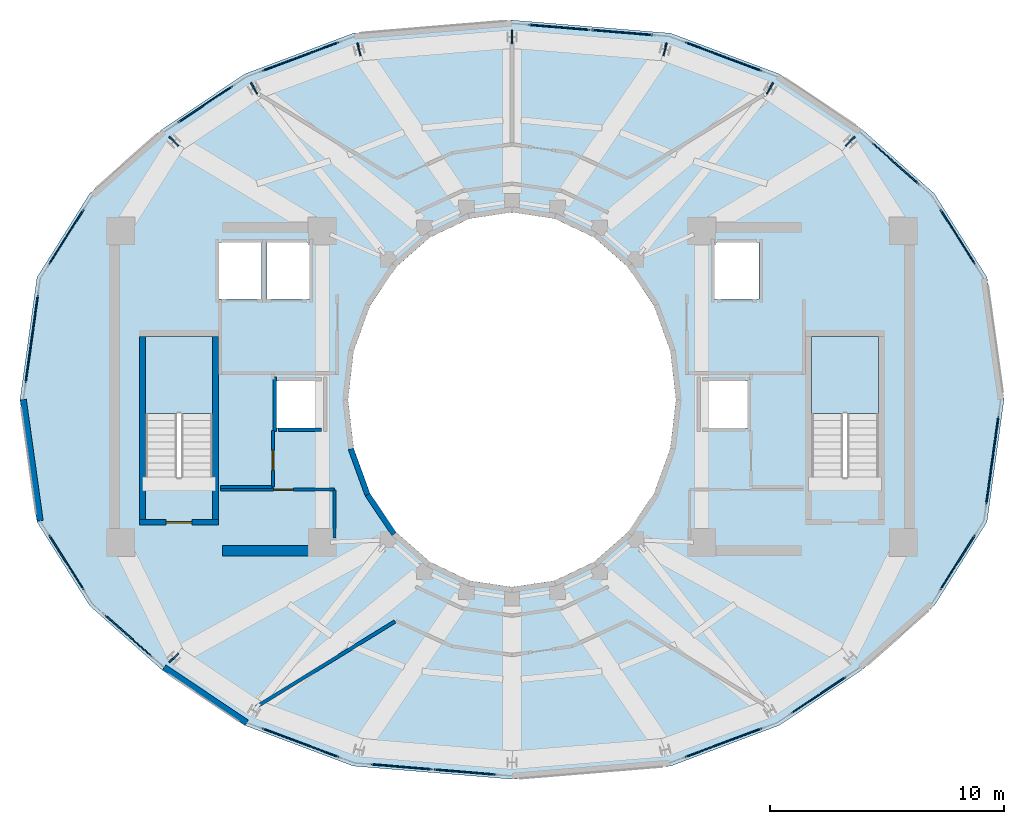
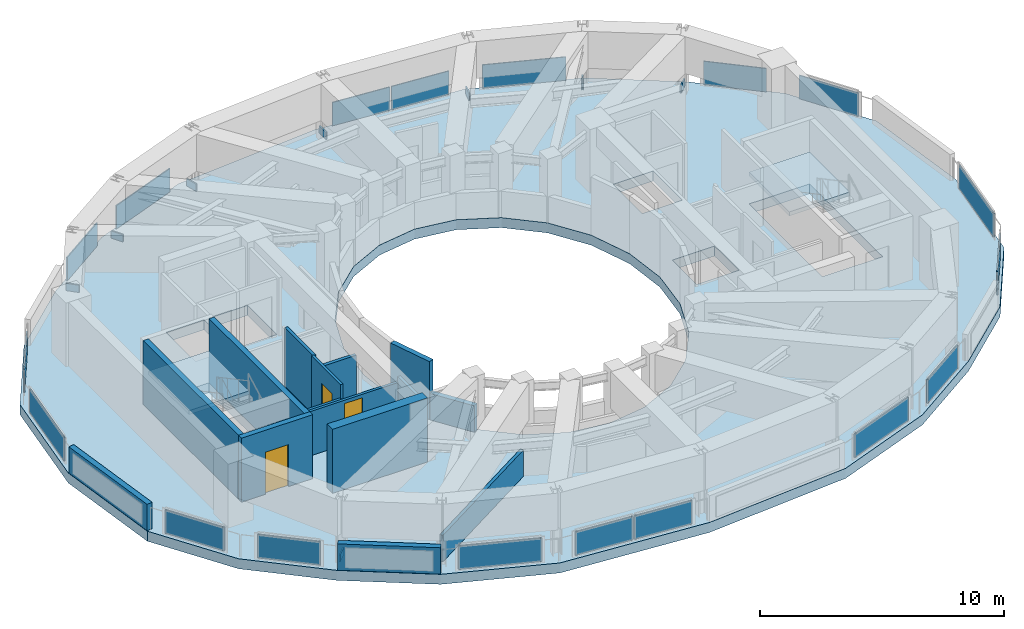
# One storey, part 15 of 21: 26 plates, 15 walls, 3 doors, 3 slabs, 3 openings, 18 elements without a shape of their own.
"""IFC4 building model written with IfcOpenShell, lengths in metres."""

from ifc_helpers import new_model, si_unit, direction, frame, frame_2d, origin, origin_2d, place, context, subcontext, project, spatial, polyline, rectangle, outline, extrude, material, layer, layer_set, type_object, element, fill, aggregate, save


model = new_model("IFC4")

# Units and contexts
model_context = context("Model", 3, precision=1e-05, world=origin(), true_north=direction((0.0, 1.0)))
body_context = subcontext(model_context, "Body", "Model", "MODEL_VIEW")
ifc_project = project(units=[si_unit("LENGTHUNIT", "METRE"), si_unit("AREAUNIT", "SQUARE_METRE"), si_unit("VOLUMEUNIT", "CUBIC_METRE"), si_unit("PLANEANGLEUNIT", "RADIAN"), si_unit("MASSUNIT", "GRAM", prefix="KILO")], contexts=[model_context])

# Site, building, storey
site_placement = place(None, origin())
site = spatial("IfcSite", under=ifc_project, at=site_placement, CompositionType="ELEMENT")
building_placement = place(site_placement, origin())
building = spatial("IfcBuilding", under=site, at=building_placement, Name="Solvane Sanctuary Tower", CompositionType="ELEMENT")
storey_placement = place(building_placement, frame((0.0, 0.0, 260.39990234375)))
storey = spatial("IfcBuildingStorey", under=building, at=storey_placement, Name="L79", CompositionType="ELEMENT", Elevation=260.39990234375)

# Plates
ifc_material_1 = material(Name="Steel ASTM A572 Grade 50", Category="steel")
ifc_layer_1 = layer(ifc_material_1, 0.06005859375, Name="Steel ASTM A572 Grade 50")
ifc_layer_set_1 = layer_set([ifc_layer_1], Name="Steel ASTM A572 Grade 50")
plate_type_1 = type_object("IfcPlateType", Name="Plate PL-SPLICE-C", PredefinedType="SHEET", material=ifc_layer_set_1)
for number, where, z_axis, x_axis, name in (
    (1, (46.43310546875, 34.01708984375, 0.1201171875), (0.0, 0.0, 1.0), (0.707106781187, 0.707106781187, 0.0), "L79 Crown Steel Column Splice Plate TC01"),
    (2, (43.01220703125, 36.285400390625, 0.1201171875), (0.0, 0.0, 1.0), (0.5, 0.866025403784, 0.0), "L79 Crown Steel Column Splice Plate TC02"),
    (3, (38.533935546875, 37.9453125, 0.1201171875), (0.0, 0.0, 1.0), (0.258819045103, 0.965925826289, 0.0), "L79 Crown Steel Column Splice Plate TC03"),
    (4, (32.0, 38.47998046875, 0.1201171875), (0.0, 0.0, 1.0), (0.0, 1.0, 0.0), "L79 Crown Steel Column Splice Plate TC04"),
    (5, (25.466064453125, 37.9453125, 0.1201171875), (0.0, 0.0, 1.0), (-0.258819045103, 0.965925826289, 0.0), "L79 Crown Steel Column Splice Plate TC05"),
    (6, (20.98779296875, 36.285400390625, 0.1201171875), (0.0, 0.0, 1.0), (-0.5, 0.866025403784, 0.0), "L79 Crown Steel Column Splice Plate TC06"),
    (7, (17.56689453125, 34.01708984375, 0.1201171875), (0.0, 0.0, 1.0), (-0.707106781187, 0.707106781187, 0.0), "L79 Crown Steel Column Splice Plate TC07"),
    (8, (17.56689453125, 11.98291015625, 0.1201171875), (0.0, 0.0, 1.0), (-0.707106781187, -0.707106781187, 0.0), "L79 Crown Steel Column Splice Plate TC08"),
):
    element("IfcPlate", number, at=place(storey_placement, frame(where, z_axis=z_axis, x_axis=x_axis)), inside=storey, type_object=plate_type_1, Name=name, PredefinedType="SHEET", context=body_context, shape_type="SweptSolid", body=[
        extrude(rectangle(XDim=0.56005859375, YDim=0.06005859375, at=origin_2d()), origin(), (0.0, 0.0, 1.0), 0.360107421875),
    ])

# Curtain wall, plate
ifc_material_2 = material(Name="Anodised Aluminium 6063-T6", Category="aluminium")
ifc_layer_2 = layer(ifc_material_2, 0.219970703125, Name="Anodised Aluminium 6063-T6")
ifc_layer_set_2 = layer_set([ifc_layer_2], Name="Anodised Aluminium 6063-T6")
curtain_wall_type = type_object("IfcCurtainWallType", Name="Curtain Wall CW-CROWN", PredefinedType="NOTDEFINED", material=ifc_layer_set_2)
curtain_wall_1_placement = place(storey_placement, origin())
curtain_wall_1 = element("IfcCurtainWall", 9, at=curtain_wall_1_placement, inside=storey, type_object=curtain_wall_type, Name="L79 Crown Fritted Lantern Curtain Wall 01", PredefinedType="NOTDEFINED")
ifc_material_3 = material(Name="Acoustic Spandrel Glass", Category="glass")
ifc_layer_3 = layer(ifc_material_3, 0.052001953125, Name="Acoustic Spandrel Glass")
ifc_layer_set_3 = layer_set([ifc_layer_3], Name="Acoustic Spandrel Glass")
plate_type_2 = type_object("IfcPlateType", Name="Plate PN-SPANDREL", PredefinedType="CURTAIN_PANEL", material=ifc_layer_set_3)
plate_1_placement = place(storey_placement, frame((51.02099609375, 29.947509765625, 0.0751953125), z_axis=(0.0, 0.0, 1.0), x_axis=(-0.533486971784, 0.845808282613, 0.0)))
plate_1 = element("IfcPlate", 10, at=plate_1_placement, type_object=plate_type_2, Name="CW-CROWN panel 1.1", PredefinedType="CURTAIN_PANEL", context=body_context, shape_type="SweptSolid", body=[
    extrude(rectangle(XDim=2.742919921875, YDim=0.052001953125, at=origin_2d()), origin(), (0.0, 0.0, 1.0), 1.169921875),
])
aggregate(curtain_wall_1, [plate_1])

curtain_wall_2_placement = place(storey_placement, origin())
curtain_wall_2 = element("IfcCurtainWall", 11, at=curtain_wall_2_placement, inside=storey, type_object=curtain_wall_type, Name="L79 Crown Fritted Lantern Curtain Wall 02", PredefinedType="NOTDEFINED")
plate_2_placement = place(storey_placement, frame((48.374267578125, 33.0751953125, 0.0751953125), z_axis=(0.0, 0.0, 1.0), x_axis=(-0.74834774952, 0.66330660014, 0.0)))
plate_2 = element("IfcPlate", 12, at=plate_2_placement, type_object=plate_type_2, Name="CW-CROWN panel 1.1", PredefinedType="CURTAIN_PANEL", context=body_context, shape_type="SweptSolid", body=[
    extrude(rectangle(XDim=2.634521484375, YDim=0.052001953125, at=origin_2d()), origin(), (0.0, 0.0, 1.0), 1.169921875),
])
aggregate(curtain_wall_2, [plate_2])

curtain_wall_3_placement = place(storey_placement, origin())
curtain_wall_3 = element("IfcCurtainWall", 13, at=curtain_wall_3_placement, inside=storey, type_object=curtain_wall_type, Name="L79 Crown Fritted Lantern Curtain Wall 04", PredefinedType="NOTDEFINED")
plate_3_placement = place(storey_placement, frame((41.02392578125, 37.64404296875, 0.0751953125), z_axis=(0.0, 0.0, 1.0), x_axis=(-0.936688782459, 0.350162997497, 0.0)))
plate_3 = element("IfcPlate", 14, at=plate_3_placement, type_object=plate_type_2, Name="CW-CROWN panel 1.1", PredefinedType="CURTAIN_PANEL", context=body_context, shape_type="SweptSolid", body=[
    extrude(rectangle(XDim=3.4677734375, YDim=0.052001953125, at=origin_2d()), origin(), (0.0, 0.0, 1.0), 1.169921875),
])
aggregate(curtain_wall_3, [plate_3])

# Curtain wall, plates
curtain_wall_4_placement = place(storey_placement, origin())
curtain_wall_4 = element("IfcCurtainWall", 15, at=curtain_wall_4_placement, inside=storey, type_object=curtain_wall_type, Name="L79 Crown Fritted Lantern Curtain Wall 05", PredefinedType="NOTDEFINED")
plate_4_placement = place(storey_placement, frame((36.697998046875, 38.672119140625, 0.0751953125), z_axis=(0.0, 0.0, 1.0), x_axis=(-0.996609315273, 0.082279236206, 0.0)))
plate_4 = element("IfcPlate", 16, at=plate_4_placement, type_object=plate_type_2, Name="CW-CROWN panel 1.1", PredefinedType="CURTAIN_PANEL", context=body_context, shape_type="SweptSolid", body=[
    extrude(rectangle(XDim=2.609375, YDim=0.052001953125, at=origin_2d()), origin(), (0.0, 0.0, 1.0), 1.169921875),
])
plate_5_placement = place(storey_placement, frame((34.022705078125, 38.89306640625, 0.0751953125), z_axis=(0.0, 0.0, 1.0), x_axis=(-0.996609315273, 0.082279236206, 0.0)))
plate_5 = element("IfcPlate", 17, at=plate_5_placement, type_object=plate_type_2, Name="CW-CROWN panel 2.1", PredefinedType="CURTAIN_PANEL", context=body_context, shape_type="SweptSolid", body=[
    extrude(rectangle(XDim=2.609375, YDim=0.052001953125, at=origin_2d()), origin(), (0.0, 0.0, 1.0), 1.169921875),
])
aggregate(curtain_wall_4, [plate_4, plate_5])

# Curtain wall, plate
curtain_wall_5_placement = place(storey_placement, origin())
curtain_wall_5 = element("IfcCurtainWall", 18, at=curtain_wall_5_placement, inside=storey, type_object=curtain_wall_type, Name="L79 Crown Fritted Lantern Curtain Wall 07", PredefinedType="NOTDEFINED")
plate_6_placement = place(storey_placement, frame((22.97607421875, 37.64404296875, 0.0751953125), z_axis=(0.0, 0.0, 1.0), x_axis=(-0.936688782459, -0.350162997497, 0.0)))
plate_6 = element("IfcPlate", 19, at=plate_6_placement, type_object=plate_type_2, Name="CW-CROWN panel 1.1", PredefinedType="CURTAIN_PANEL", context=body_context, shape_type="SweptSolid", body=[
    extrude(rectangle(XDim=3.4677734375, YDim=0.052001953125, at=origin_2d()), origin(), (0.0, 0.0, 1.0), 1.169921875),
])
aggregate(curtain_wall_5, [plate_6])

curtain_wall_6_placement = place(storey_placement, origin())
curtain_wall_6 = element("IfcCurtainWall", 20, at=curtain_wall_6_placement, inside=storey, type_object=curtain_wall_type, Name="L79 Crown Fritted Lantern Curtain Wall 08", PredefinedType="NOTDEFINED")
plate_7_placement = place(storey_placement, frame((18.913330078125, 35.6064453125, 0.0751953125), z_axis=(0.0, 0.0, 1.0), x_axis=(-0.831252219195, -0.555895447079, 0.0)))
plate_7 = element("IfcPlate", 21, at=plate_7_placement, type_object=plate_type_2, Name="CW-CROWN panel 1.1", PredefinedType="CURTAIN_PANEL", context=body_context, shape_type="SweptSolid", body=[
    extrude(rectangle(XDim=2.783203125, YDim=0.052001953125, at=origin_2d()), origin(), (0.0, 0.0, 1.0), 1.169921875),
])
aggregate(curtain_wall_6, [plate_7])

curtain_wall_7_placement = place(storey_placement, origin())
curtain_wall_7 = element("IfcCurtainWall", 22, at=curtain_wall_7_placement, inside=storey, type_object=curtain_wall_type, Name="L79 Crown Fritted Lantern Curtain Wall 10", PredefinedType="NOTDEFINED")
plate_8_placement = place(storey_placement, frame((12.97900390625, 29.947509765625, 0.0751953125), z_axis=(0.0, 0.0, 1.0), x_axis=(-0.533486971784, -0.845808282613, 0.0)))
plate_8 = element("IfcPlate", 23, at=plate_8_placement, type_object=plate_type_2, Name="CW-CROWN panel 1.1", PredefinedType="CURTAIN_PANEL", context=body_context, shape_type="SweptSolid", body=[
    extrude(rectangle(XDim=2.742919921875, YDim=0.052001953125, at=origin_2d()), origin(), (0.0, 0.0, 1.0), 1.169921875),
])
aggregate(curtain_wall_7, [plate_8])

curtain_wall_8_placement = place(storey_placement, origin())
curtain_wall_8 = element("IfcCurtainWall", 24, at=curtain_wall_8_placement, inside=storey, type_object=curtain_wall_type, Name="L79 Crown Fritted Lantern Curtain Wall 11", PredefinedType="NOTDEFINED")
plate_9_placement = place(storey_placement, frame((11.500244140625, 25.587158203125, 0.0751953125), z_axis=(0.0, 0.0, 1.0), x_axis=(-0.1379385088, -0.990440794692, 0.0)))
plate_9 = element("IfcPlate", 25, at=plate_9_placement, type_object=plate_type_2, Name="CW-CROWN panel 1.1", PredefinedType="CURTAIN_PANEL", context=body_context, shape_type="SweptSolid", body=[
    extrude(rectangle(XDim=3.774169921875, YDim=0.052001953125, at=origin_2d()), origin(), (0.0, 0.0, 1.0), 1.169921875),
])
aggregate(curtain_wall_8, [plate_9])

curtain_wall_9_placement = place(storey_placement, origin())
curtain_wall_9 = element("IfcCurtainWall", 26, at=curtain_wall_9_placement, inside=storey, type_object=curtain_wall_type, Name="L79 Crown Fritted Lantern Curtain Wall 13", PredefinedType="NOTDEFINED")
plate_10_placement = place(storey_placement, frame((12.97900390625, 16.052490234375, 0.0751953125), z_axis=(0.0, 0.0, 1.0), x_axis=(0.533486971784, -0.845808282613, 0.0)))
plate_10 = element("IfcPlate", 27, at=plate_10_placement, type_object=plate_type_2, Name="CW-CROWN panel 1.1", PredefinedType="CURTAIN_PANEL", context=body_context, shape_type="SweptSolid", body=[
    extrude(rectangle(XDim=2.742919921875, YDim=0.052001953125, at=origin_2d()), origin(), (0.0, 0.0, 1.0), 1.169921875),
])
aggregate(curtain_wall_9, [plate_10])

curtain_wall_10_placement = place(storey_placement, origin())
curtain_wall_10 = element("IfcCurtainWall", 28, at=curtain_wall_10_placement, inside=storey, type_object=curtain_wall_type, Name="L79 Crown Fritted Lantern Curtain Wall 14", PredefinedType="NOTDEFINED")
plate_11_placement = place(storey_placement, frame((15.625732421875, 12.9248046875, 0.0751953125), z_axis=(0.0, 0.0, 1.0), x_axis=(0.74834774952, -0.66330660014, 0.0)))
plate_11 = element("IfcPlate", 29, at=plate_11_placement, type_object=plate_type_2, Name="CW-CROWN panel 1.1", PredefinedType="CURTAIN_PANEL", context=body_context, shape_type="SweptSolid", body=[
    extrude(rectangle(XDim=2.634521484375, YDim=0.052001953125, at=origin_2d()), origin(), (0.0, 0.0, 1.0), 1.169921875),
])
aggregate(curtain_wall_10, [plate_11])

curtain_wall_11_placement = place(storey_placement, origin())
curtain_wall_11 = element("IfcCurtainWall", 30, at=curtain_wall_11_placement, inside=storey, type_object=curtain_wall_type, Name="L79 Crown Fritted Lantern Curtain Wall 16", PredefinedType="NOTDEFINED")
plate_12_placement = place(storey_placement, frame((22.97607421875, 8.35595703125, 0.0751953125), z_axis=(0.0, 0.0, 1.0), x_axis=(0.936688782459, -0.350162997497, 0.0)))
plate_12 = element("IfcPlate", 31, at=plate_12_placement, type_object=plate_type_2, Name="CW-CROWN panel 1.1", PredefinedType="CURTAIN_PANEL", context=body_context, shape_type="SweptSolid", body=[
    extrude(rectangle(XDim=3.4677734375, YDim=0.052001953125, at=origin_2d()), origin(), (0.0, 0.0, 1.0), 1.169921875),
])
aggregate(curtain_wall_11, [plate_12])

# Curtain wall, plates
curtain_wall_12_placement = place(storey_placement, origin())
curtain_wall_12 = element("IfcCurtainWall", 32, at=curtain_wall_12_placement, inside=storey, type_object=curtain_wall_type, Name="L79 Crown Fritted Lantern Curtain Wall 17", PredefinedType="NOTDEFINED")
plate_13_placement = place(storey_placement, frame((27.302001953125, 7.327880859375, 0.0751953125), z_axis=(0.0, 0.0, 1.0), x_axis=(0.996609315273, -0.082279236206, 0.0)))
plate_13 = element("IfcPlate", 33, at=plate_13_placement, type_object=plate_type_2, Name="CW-CROWN panel 1.1", PredefinedType="CURTAIN_PANEL", context=body_context, shape_type="SweptSolid", body=[
    extrude(rectangle(XDim=2.609375, YDim=0.052001953125, at=origin_2d()), origin(), (0.0, 0.0, 1.0), 1.169921875),
])
plate_14_placement = place(storey_placement, frame((29.977294921875, 7.10693359375, 0.0751953125), z_axis=(0.0, 0.0, 1.0), x_axis=(0.996609315273, -0.082279236206, 0.0)))
plate_14 = element("IfcPlate", 34, at=plate_14_placement, type_object=plate_type_2, Name="CW-CROWN panel 2.1", PredefinedType="CURTAIN_PANEL", context=body_context, shape_type="SweptSolid", body=[
    extrude(rectangle(XDim=2.609375, YDim=0.052001953125, at=origin_2d()), origin(), (0.0, 0.0, 1.0), 1.169921875),
])
aggregate(curtain_wall_12, [plate_13, plate_14])

# Curtain wall, plate
curtain_wall_13_placement = place(storey_placement, origin())
curtain_wall_13 = element("IfcCurtainWall", 35, at=curtain_wall_13_placement, inside=storey, type_object=curtain_wall_type, Name="L79 Crown Fritted Lantern Curtain Wall 19", PredefinedType="NOTDEFINED")
plate_15_placement = place(storey_placement, frame((41.02392578125, 8.35595703125, 0.0751953125), z_axis=(0.0, 0.0, 1.0), x_axis=(0.936688782459, 0.350162997497, 0.0)))
plate_15 = element("IfcPlate", 36, at=plate_15_placement, type_object=plate_type_2, Name="CW-CROWN panel 1.1", PredefinedType="CURTAIN_PANEL", context=body_context, shape_type="SweptSolid", body=[
    extrude(rectangle(XDim=3.4677734375, YDim=0.052001953125, at=origin_2d()), origin(), (0.0, 0.0, 1.0), 1.169921875),
])
aggregate(curtain_wall_13, [plate_15])

curtain_wall_14_placement = place(storey_placement, origin())
curtain_wall_14 = element("IfcCurtainWall", 37, at=curtain_wall_14_placement, inside=storey, type_object=curtain_wall_type, Name="L79 Crown Fritted Lantern Curtain Wall 20", PredefinedType="NOTDEFINED")
plate_16_placement = place(storey_placement, frame((45.086669921875, 10.3935546875, 0.0751953125), z_axis=(0.0, 0.0, 1.0), x_axis=(0.831252219195, 0.555895447079, 0.0)))
plate_16 = element("IfcPlate", 38, at=plate_16_placement, type_object=plate_type_2, Name="CW-CROWN panel 1.1", PredefinedType="CURTAIN_PANEL", context=body_context, shape_type="SweptSolid", body=[
    extrude(rectangle(XDim=2.783203125, YDim=0.052001953125, at=origin_2d()), origin(), (0.0, 0.0, 1.0), 1.169921875),
])
aggregate(curtain_wall_14, [plate_16])

curtain_wall_15_placement = place(storey_placement, origin())
curtain_wall_15 = element("IfcCurtainWall", 39, at=curtain_wall_15_placement, inside=storey, type_object=curtain_wall_type, Name="L79 Crown Fritted Lantern Curtain Wall 22", PredefinedType="NOTDEFINED")
plate_17_placement = place(storey_placement, frame((51.02099609375, 16.052490234375, 0.0751953125), z_axis=(0.0, 0.0, 1.0), x_axis=(0.533486971784, 0.845808282613, 0.0)))
plate_17 = element("IfcPlate", 40, at=plate_17_placement, type_object=plate_type_2, Name="CW-CROWN panel 1.1", PredefinedType="CURTAIN_PANEL", context=body_context, shape_type="SweptSolid", body=[
    extrude(rectangle(XDim=2.742919921875, YDim=0.052001953125, at=origin_2d()), origin(), (0.0, 0.0, 1.0), 1.169921875),
])
aggregate(curtain_wall_15, [plate_17])

curtain_wall_16_placement = place(storey_placement, origin())
curtain_wall_16 = element("IfcCurtainWall", 41, at=curtain_wall_16_placement, inside=storey, type_object=curtain_wall_type, Name="L79 Crown Fritted Lantern Curtain Wall 23", PredefinedType="NOTDEFINED")
plate_18_placement = place(storey_placement, frame((52.499755859375, 20.412841796875, 0.0751953125), z_axis=(0.0, 0.0, 1.0), x_axis=(0.1379385088, 0.990440794692, 0.0)))
plate_18 = element("IfcPlate", 42, at=plate_18_placement, type_object=plate_type_2, Name="CW-CROWN panel 1.1", PredefinedType="CURTAIN_PANEL", context=body_context, shape_type="SweptSolid", body=[
    extrude(rectangle(XDim=3.774169921875, YDim=0.052001953125, at=origin_2d()), origin(), (0.0, 0.0, 1.0), 1.169921875),
])
aggregate(curtain_wall_16, [plate_18])

# Stair, slab
ifc_material_4 = material(Name="Concrete C45/55", Category="concrete")
stair_type = type_object("IfcStairType", Name="Stair ST-TOW", PredefinedType="HALF_TURN_STAIR", material=ifc_material_4)
stair_1_placement = place(storey_placement, origin())
stair_1 = element("IfcStair", 43, at=stair_1_placement, inside=storey, type_object=stair_type, Name="L79 Exit Stair ST-1 West Core", PredefinedType="HALF_TURN_STAIR")
ifc_layer_4 = layer(ifc_material_4, 0.199951171875, Name="Concrete C45/55")
ifc_layer_set_4 = layer_set([ifc_layer_4], Name="Concrete C45/55")
slab_type_1 = type_object("IfcSlabType", Name="Slab SL-LAND-180", PredefinedType="LANDING", material=ifc_layer_set_4)
slab_1_placement = place(storey_placement, frame((0.0, 0.0, 1.400146484375)))
slab_1 = element("IfcSlab", 44, at=slab_1_placement, type_object=slab_type_1, Name="ST-1 landing 1", PredefinedType="LANDING", context=body_context, shape_type="SweptSolid", body=[
    extrude(outline(polyline([(19.219970703125, 22.39990234375), (19.219970703125, 25.699951171875), (16.360107421875, 25.699951171875), (16.360107421875, 22.39990234375), (19.219970703125, 22.39990234375)])), origin(), (0.0, 0.0, 1.0), 0.199951171875),
])
aggregate(stair_1, [slab_1])

stair_2_placement = place(storey_placement, origin())
stair_2 = element("IfcStair", 45, at=stair_2_placement, inside=storey, type_object=stair_type, Name="L79 Exit Stair ST-2 East Core", PredefinedType="HALF_TURN_STAIR")
slab_2_placement = place(storey_placement, frame((0.0, 0.0, 1.400146484375)))
slab_2 = element("IfcSlab", 46, at=slab_2_placement, type_object=slab_type_1, Name="ST-2 landing 1", PredefinedType="LANDING", context=body_context, shape_type="SweptSolid", body=[
    extrude(outline(polyline([(47.639892578125, 22.39990234375), (47.639892578125, 25.699951171875), (44.780029296875, 25.699951171875), (44.780029296875, 22.39990234375), (47.639892578125, 22.39990234375)])), origin(), (0.0, 0.0, 1.0), 0.199951171875),
])
aggregate(stair_2, [slab_2])

# Slab
ifc_material_5 = material(Name="Concrete C60/75", Category="concrete")
ifc_layer_5 = layer(ifc_material_5, 0.5, Name="Concrete C60/75")
ifc_layer_set_5 = layer_set([ifc_layer_5], Name="Concrete C60/75")
slab_type_2 = type_object("IfcSlabType", Name="Slab SL-XFER-500", PredefinedType="FLOOR", material=ifc_layer_set_5)
slab_3_placement = place(storey_placement, frame((0.0, 0.0, -0.5)))
element("IfcSlab", 47, at=slab_3_placement, inside=storey, type_object=slab_type_2, Name="L79 Primary Structural Slab", PredefinedType="FLOOR", context=body_context, shape_type="SweptSolid", body=[
    extrude(outline(polyline([(53.0, 23.0), (52.2744140625, 28.219482421875), (50.022705078125, 31.796630859375), (46.945556640625, 34.529541015625), (43.403076171875, 36.9033203125), (38.765869140625, 38.640380859375), (32.0, 39.199951171875), (25.234130859375, 38.640380859375), (20.596923828125, 36.9033203125), (17.054443359375, 34.529541015625), (13.977294921875, 31.796630859375), (11.7255859375, 28.219482421875), (11.0, 23.0), (11.7255859375, 17.780517578125), (13.977294921875, 14.203369140625), (17.054443359375, 11.470458984375), (20.596923828125, 9.0966796875), (25.234130859375, 7.359619140625), (32.0, 6.800048828125), (38.765869140625, 7.359619140625), (43.403076171875, 9.0966796875), (46.945556640625, 11.470458984375), (50.022705078125, 14.203369140625), (52.2744140625, 17.780517578125), (53.0, 23.0)]), holes=[polyline([(38.761474609375, 20.929443359375), (38.062255859375, 19.0), (36.94970703125, 17.343017578125), (35.5, 16.07177734375), (33.811767578125, 15.272705078125), (32.0, 15.0), (30.188232421875, 15.272705078125), (28.5, 16.07177734375), (27.05029296875, 17.343017578125), (25.937744140625, 19.0), (25.238525390625, 20.929443359375), (25.0, 23.0), (25.238525390625, 25.070556640625), (25.937744140625, 27.0), (27.05029296875, 28.656982421875), (28.5, 29.92822265625), (30.188232421875, 30.727294921875), (32.0, 31.0), (33.811767578125, 30.727294921875), (35.5, 29.92822265625), (36.94970703125, 28.656982421875), (38.062255859375, 27.0), (38.761474609375, 25.070556640625), (39.0, 23.0), (38.761474609375, 20.929443359375)]), polyline([(16.360107421875, 19.699951171875), (16.360107421875, 25.699951171875), (19.219970703125, 25.699951171875), (19.219970703125, 19.699951171875), (16.360107421875, 19.699951171875)]), polyline([(44.780029296875, 19.699951171875), (44.780029296875, 25.699951171875), (47.639892578125, 25.699951171875), (47.639892578125, 19.699951171875), (44.780029296875, 19.699951171875)]), polyline([(21.949951171875, 23.800048828125), (23.949951171875, 23.800048828125), (23.949951171875, 21.800048828125), (21.949951171875, 21.800048828125), (21.949951171875, 23.800048828125)]), polyline([(40.050048828125, 23.800048828125), (42.050048828125, 23.800048828125), (42.050048828125, 21.800048828125), (40.050048828125, 21.800048828125), (40.050048828125, 23.800048828125)]), polyline([(19.5, 29.699951171875), (21.300048828125, 29.699951171875), (21.300048828125, 27.300048828125), (19.5, 27.300048828125), (19.5, 29.699951171875)]), polyline([(21.550048828125, 29.699951171875), (23.35009765625, 29.699951171875), (23.35009765625, 27.300048828125), (21.550048828125, 27.300048828125), (21.550048828125, 29.699951171875)]), polyline([(40.64990234375, 29.699951171875), (42.550048828125, 29.699951171875), (42.550048828125, 27.300048828125), (40.64990234375, 27.300048828125), (40.64990234375, 29.699951171875)])]), origin(), (0.0, 0.0, 1.0), 0.5),
])

# Walls
ifc_material_6 = material(Name="Concrete C50/60", Category="concrete")
ifc_layer_6 = layer(ifc_material_6, 0.449951171875, Name="Concrete C50/60")
ifc_layer_set_6 = layer_set([ifc_layer_6], Name="Concrete C50/60")
wall_type_1 = type_object("IfcWallType", Name="Wall W-CORE-450", PredefinedType="SHEAR", material=ifc_layer_set_6)
wall_1_placement = place(storey_placement, frame((19.64990234375, 16.550048828125, 0.0), z_axis=(0.0, 0.0, 1.0), x_axis=(1.0, 0.0, 0.0)))
element("IfcWall", 48, at=wall_1_placement, inside=storey, type_object=wall_type_1, Name="L79 Core Shear Wall WC-S", PredefinedType="SHEAR", context=body_context, shape_type="SweptSolid", body=[
    extrude(rectangle(XDim=4.5, YDim=0.449951171875, at=frame_2d((2.25, 0.0))), origin(), (0.0, 0.0, 1.0), 3.2001953125),
])
ifc_material_7 = material(Name="Acoustic Gypsum Partition Board")
ifc_layer_7 = layer(ifc_material_7, 0.14990234375, Name="Acoustic Gypsum Partition Board")
ifc_layer_set_7 = layer_set([ifc_layer_7], Name="Acoustic Gypsum Partition Board")
wall_type_2 = type_object("IfcWallType", Name="Wall W-CORR-150", PredefinedType="PARTITIONING", material=ifc_layer_set_7)
wall_2_placement = place(storey_placement, frame((27.003173828125, 13.531494140625, 0.0), z_axis=(0.0, 0.0, 1.0), x_axis=(-0.851425368576, -0.524475778035, 0.0)))
element("IfcWall", 49, at=wall_2_placement, inside=storey, type_object=wall_type_2, Name="L79 Mechanical Plant Radial Wall 240", PredefinedType="PARTITIONING", context=body_context, shape_type="SweptSolid", body=[
    extrude(rectangle(XDim=6.947509765625, YDim=0.14990234375, at=frame_2d((3.4736328125, 0.0))), origin(), (0.0, 0.0, 1.0), 1.320068359375),
])
ifc_material_8 = material(Name="Precast concrete C40/50", Category="concrete")
ifc_layer_8 = layer(ifc_material_8, 0.260009765625, Name="Precast concrete C40/50")
ifc_layer_set_8 = layer_set([ifc_layer_8], Name="Precast concrete C40/50")
wall_type_3 = type_object("IfcWallType", Name="Wall W-EXT-250", PredefinedType="STANDARD", material=ifc_layer_set_8)
wall_3_placement = place(storey_placement, frame((11.139892578125, 23.0, 0.0), z_axis=(0.0, 0.0, 1.0), x_axis=(0.137952971577, -0.990438780356, 0.0)))
element("IfcWall", 50, at=wall_3_placement, inside=storey, type_object=wall_type_3, Name="L79 Crown Acoustic Louvred Wall 12", PredefinedType="STANDARD", context=body_context, shape_type="SweptSolid", body=[
    extrude(rectangle(XDim=5.224365234375, YDim=0.260009765625, at=frame_2d((2.6123046875, 0.0))), origin(), (0.0, 0.0, 1.0), 1.320068359375),
])
wall_4_placement = place(storey_placement, frame((17.154052734375, 11.570068359375, 0.0), z_axis=(0.0, 0.0, 1.0), x_axis=(0.831241989861, -0.555910743098, 0.0)))
element("IfcWall", 51, at=wall_4_placement, inside=storey, type_object=wall_type_3, Name="L79 Crown Acoustic Louvred Wall 15", PredefinedType="STANDARD", context=body_context, shape_type="SweptSolid", body=[
    extrude(rectangle(XDim=4.233154296875, YDim=0.260009765625, at=frame_2d((2.11669921875, 0.0))), origin(), (0.0, 0.0, 1.0), 1.320068359375),
])
ifc_layer_9 = layer(ifc_material_8, 0.22998046875, Name="Precast concrete C40/50")
ifc_layer_set_9 = layer_set([ifc_layer_9], Name="Precast concrete C40/50")
wall_type_4 = type_object("IfcWallType", Name="Wall W-EXT-SP220", PredefinedType="STANDARD", material=ifc_layer_set_9)
wall_5_placement = place(storey_placement, frame((25.12255859375, 20.8984375, 0.0), z_axis=(0.0, 0.0, 1.0), x_axis=(0.341423187295, -0.93990968033, 0.0)))
element("IfcWall", 52, at=wall_5_placement, inside=storey, type_object=wall_type_4, Name="L79 Central Light-Well Wall 13", PredefinedType="STANDARD", context=body_context, shape_type="SweptSolid", body=[
    extrude(rectangle(XDim=2.083740234375, YDim=0.22998046875, at=frame_2d((1.0419921875, 0.0))), origin(), (0.0, 0.0, 1.0), 2.900146484375),
])
wall_6_placement = place(storey_placement, frame((25.833984375, 18.93994140625, 0.0), z_axis=(0.0, 0.0, 1.0), x_axis=(0.558197800898, -0.829707909492, 0.0)))
element("IfcWall", 53, at=wall_6_placement, inside=storey, type_object=wall_type_4, Name="L79 Central Light-Well Wall 14", PredefinedType="STANDARD", context=body_context, shape_type="SweptSolid", body=[
    extrude(rectangle(XDim=2.02685546875, YDim=0.22998046875, at=frame_2d((1.013427734375, 0.0))), origin(), (0.0, 0.0, 1.0), 1.320068359375),
])

# Wall, opening, door
ifc_layer_10 = layer(ifc_material_7, 0.125, Name="Acoustic Gypsum Partition Board")
ifc_layer_set_10 = layer_set([ifc_layer_10], Name="Acoustic Gypsum Partition Board")
wall_type_5 = type_object("IfcWallType", Name="Wall W-PART-125", PredefinedType="PARTITIONING", material=ifc_layer_set_10)
wall_7_placement = place(storey_placement, frame((19.550048828125, 19.159912109375, 0.0), z_axis=(0.0, 0.0, 1.0), x_axis=(1.0, 0.0, 0.0)))
wall_7 = element("IfcWall", 54, at=wall_7_placement, inside=storey, type_object=wall_type_5, Name="L79 Reclaimed Room Partition PLW", PredefinedType="PARTITIONING", context=body_context, shape_type="SweptSolid", body=[
    extrude(rectangle(XDim=4.869873046875, YDim=0.125, at=frame_2d((2.43505859375, 0.0))), origin(), (0.0, 0.0, 1.0), 2.22021484375),
])
opening_1_placement = place(wall_7_placement, frame((2.271728515625, 0.0, 0.0)))
opening_1 = element("IfcOpeningElement", 55, at=opening_1_placement, cuts=wall_7, Name="Opening D-L79-05", PredefinedType="OPENING", context=body_context, shape_type="SweptSolid", body=[
    extrude(rectangle(XDim=0.85009765625, YDim=2.050048828125, at=frame_2d((0.425048828125, 1.02490234375))), frame((0.0, 0.072509765625, 0.0), z_axis=(0.0, -1.0, 0.0), x_axis=(1.0, 0.0, 0.0)), (0.0, 0.0, 1.0), 0.14501953125),
])
ifc_material_9 = material(Name="Architectural Stainless Steel 316", Category="steel")
door_type_1 = type_object("IfcDoorType", Name="Door D-RISER", OperationType="NOTDEFINED", PredefinedType="DOOR", material=ifc_material_9)
door_1_placement = place(opening_1_placement, origin())
door_1 = element("IfcDoor", 56, at=door_1_placement, inside=storey, type_object=door_type_1, Name="L79 Reclaimed Room Door PLW-1", OperationType="SINGLE_SWING_LEFT", OverallHeight=2.050048828125, OverallWidth=0.85009765625, PredefinedType="DOOR", context=body_context, shape_type="SweptSolid", body=[
    extrude(rectangle(XDim=0.85009765625, YDim=2.050048828125, at=frame_2d((0.425048828125, 1.02490234375))), frame((0.0, 0.02490234375, 0.0), z_axis=(0.0, -1.0, 0.0), x_axis=(1.0, 0.0, 0.0)), (0.0, 0.0, 1.0), 0.050048828125),
])
fill(opening_1, door_1)

# Wall
wall_8_placement = place(storey_placement, frame((24.419921875, 17.10009765625, 0.0), z_axis=(0.0, 0.0, 1.0), x_axis=(0.0, 1.0, 0.0)))
element("IfcWall", 57, at=wall_8_placement, inside=storey, type_object=wall_type_5, Name="L79 Reclaimed Room Closer Wall PLW-1", PredefinedType="PARTITIONING", context=body_context, shape_type="SweptSolid", body=[
    extrude(rectangle(XDim=2.039794921875, YDim=0.125, at=frame_2d((1.02001953125, 0.0))), origin(), (0.0, 0.0, 1.0), 2.4912109375),
])

# Wall, opening, door
wall_9_placement = place(storey_placement, frame((21.800048828125, 19.280029296875, 0.0), z_axis=(0.0, 0.0, 1.0), x_axis=(0.0, 1.0, 0.0)))
wall_9 = element("IfcWall", 58, at=wall_9_placement, inside=storey, type_object=wall_type_5, Name="L79 Reclaimed Room Partition PMW", PredefinedType="PARTITIONING", context=body_context, shape_type="SweptSolid", body=[
    extrude(rectangle(XDim=2.39990234375, YDim=0.125, at=frame_2d((1.199951171875, 0.0))), origin(), (0.0, 0.0, 1.0), 2.9150390625),
])
opening_2_placement = place(wall_9_placement, frame((0.699951171875, 0.0, 0.0)))
opening_2 = element("IfcOpeningElement", 59, at=opening_2_placement, cuts=wall_9, Name="Opening D-L79-07", PredefinedType="OPENING", context=body_context, shape_type="SweptSolid", body=[
    extrude(rectangle(XDim=0.85009765625, YDim=2.050048828125, at=frame_2d((0.425048828125, 1.02490234375))), frame((0.0, 0.072509765625, 0.0), z_axis=(0.0, -1.0, 0.0), x_axis=(1.0, 0.0, 0.0)), (0.0, 0.0, 1.0), 0.14501953125),
])
door_2_placement = place(opening_2_placement, origin())
door_2 = element("IfcDoor", 60, at=door_2_placement, inside=storey, type_object=door_type_1, Name="L79 Reclaimed Room Door PMW-1", OperationType="SINGLE_SWING_LEFT", OverallHeight=2.050048828125, OverallWidth=0.85009765625, PredefinedType="DOOR", context=body_context, shape_type="SweptSolid", body=[
    extrude(rectangle(XDim=0.85009765625, YDim=2.050048828125, at=frame_2d((0.425048828125, 1.02490234375))), frame((0.0, 0.02490234375, 0.0), z_axis=(0.0, -1.0, 0.0), x_axis=(1.0, 0.0, 0.0)), (0.0, 0.0, 1.0), 0.050048828125),
])
fill(opening_2, door_2)

# Walls
wall_10_placement = place(storey_placement, frame((19.550048828125, 19.280029296875, 0.0), z_axis=(0.0, 0.0, 1.0), x_axis=(1.0, 0.0, 0.0)))
element("IfcWall", 61, at=wall_10_placement, inside=storey, type_object=wall_type_5, Name="L79 Reclaimed Room Closer Wall PMW-1", PredefinedType="PARTITIONING", context=body_context, shape_type="SweptSolid", body=[
    extrude(rectangle(XDim=2.2099609375, YDim=0.125, at=frame_2d((1.10498046875, 0.0))), origin(), (0.0, 0.0, 1.0), 2.22021484375),
])
ifc_layer_11 = layer(ifc_material_6, 0.14990234375, Name="Concrete C50/60")
ifc_layer_set_11 = layer_set([ifc_layer_11], Name="Concrete C50/60")
wall_type_6 = type_object("IfcWallType", Name="Wall W-SHAFT-150", PredefinedType="SOLIDWALL", material=ifc_layer_set_11)
wall_11_placement = place(storey_placement, frame((22.0400390625, 21.719970703125, 0.0), z_axis=(0.0, 0.0, 1.0), x_axis=(1.0, 0.0, 0.0)))
element("IfcWall", 62, at=wall_11_placement, inside=storey, type_object=wall_type_6, Name="L79 PH-1 Lift Shaft Wall F", PredefinedType="SOLIDWALL", context=body_context, shape_type="SweptSolid", body=[
    extrude(rectangle(XDim=1.820068359375, YDim=0.14990234375, at=frame_2d((0.91015625, 0.0))), origin(), (0.0, 0.0, 1.0), 2.22021484375),
])
wall_12_placement = place(storey_placement, frame((21.8701171875, 21.639892578125, 0.0), z_axis=(0.0, 0.0, 1.0), x_axis=(0.0, 1.0, 0.0)))
element("IfcWall", 63, at=wall_12_placement, inside=storey, type_object=wall_type_6, Name="L79 PH-1 Lift Shaft Wall S1", PredefinedType="SOLIDWALL", context=body_context, shape_type="SweptSolid", body=[
    extrude(rectangle(XDim=2.320068359375, YDim=0.14990234375, at=frame_2d((1.16015625, 0.0))), origin(), (0.0, 0.0, 1.0), 2.9150390625),
])

# Wall, opening, door
ifc_layer_12 = layer(ifc_material_6, 0.25, Name="Concrete C50/60")
ifc_layer_set_12 = layer_set([ifc_layer_12], Name="Concrete C50/60")
wall_type_7 = type_object("IfcWallType", Name="Wall W-SHAFT-250", PredefinedType="SOLIDWALL", material=ifc_layer_set_12)
wall_13_placement = place(storey_placement, frame((16.10498046875, 17.77001953125, 0.0), z_axis=(0.0, 0.0, 1.0), x_axis=(1.0, 0.0, 0.0)))
wall_13 = element("IfcWall", 64, at=wall_13_placement, inside=storey, type_object=wall_type_7, Name="L79 ST-1 Load-Bearing Shaft Wall S", PredefinedType="SOLIDWALL", context=body_context, shape_type="SweptSolid", body=[
    extrude(rectangle(XDim=3.3701171875, YDim=0.25, at=frame_2d((1.68505859375, 0.0))), origin(), (0.0, 0.0, 1.0), 3.2001953125),
])
opening_3_placement = place(wall_13_placement, frame((1.135009765625, 0.0, 0.0)))
opening_3 = element("IfcOpeningElement", 65, at=opening_3_placement, cuts=wall_13, Name="Opening D-L79-01", PredefinedType="OPENING", context=body_context, shape_type="SweptSolid", body=[
    extrude(rectangle(XDim=1.10009765625, YDim=2.10009765625, at=frame_2d((0.550048828125, 1.050048828125))), frame((0.0, 0.135009765625, 0.0), z_axis=(0.0, -1.0, 0.0), x_axis=(1.0, 0.0, 0.0)), (0.0, 0.0, 1.0), 0.27001953125),
])
door_type_2 = type_object("IfcDoorType", Name="Door D-STAIR", OperationType="NOTDEFINED", PredefinedType="DOOR", material=ifc_material_9)
door_3_placement = place(opening_3_placement, origin())
door_3 = element("IfcDoor", 66, at=door_3_placement, inside=storey, type_object=door_type_2, Name="L79 ST-1 Exit Stair Fire Door", OperationType="SINGLE_SWING_LEFT", OverallHeight=2.10009765625, OverallWidth=1.10009765625, PredefinedType="DOOR", context=body_context, shape_type="SweptSolid", body=[
    extrude(rectangle(XDim=1.10009765625, YDim=2.10009765625, at=frame_2d((0.550048828125, 1.050048828125))), frame((0.0, 0.02490234375, 0.0), z_axis=(0.0, -1.0, 0.0), x_axis=(1.0, 0.0, 0.0)), (0.0, 0.0, 1.0), 0.050048828125),
])
fill(opening_3, door_3)

# Walls
for number, where, z_axis, x_axis, name in (
    (67, (16.22998046875, 17.89501953125, 0.0), (0.0, 0.0, 1.0), (0.0, 1.0, 0.0), "L79 ST-1 Load-Bearing Shaft Wall W"),
    (68, (19.35009765625, 17.89501953125, 0.0), (0.0, 0.0, 1.0), (0.0, 1.0, 0.0), "L79 ST-1 Load-Bearing Shaft Wall E"),
):
    element("IfcWall", number, at=place(storey_placement, frame(where, z_axis=z_axis, x_axis=x_axis)), inside=storey, type_object=wall_type_7, Name=name, PredefinedType="SOLIDWALL", context=body_context, shape_type="SweptSolid", body=[
        extrude(rectangle(XDim=7.81005859375, YDim=0.25, at=frame_2d((3.905029296875, 0.0))), origin(), (0.0, 0.0, 1.0), 3.2001953125),
    ])

save(model, "model.ifc")
